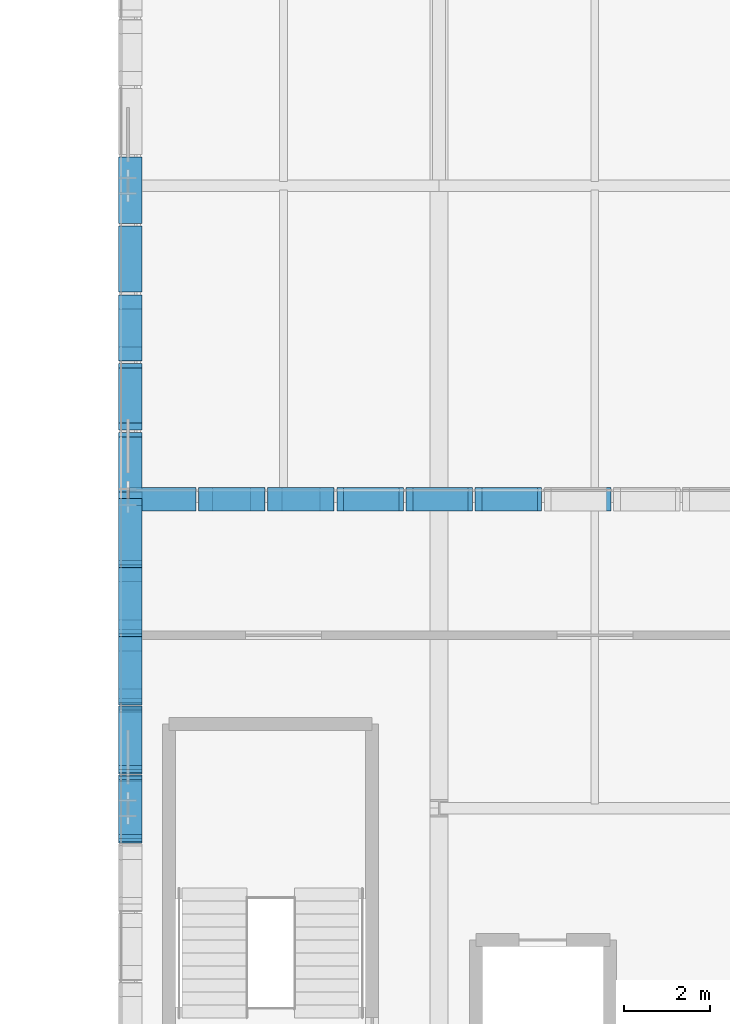
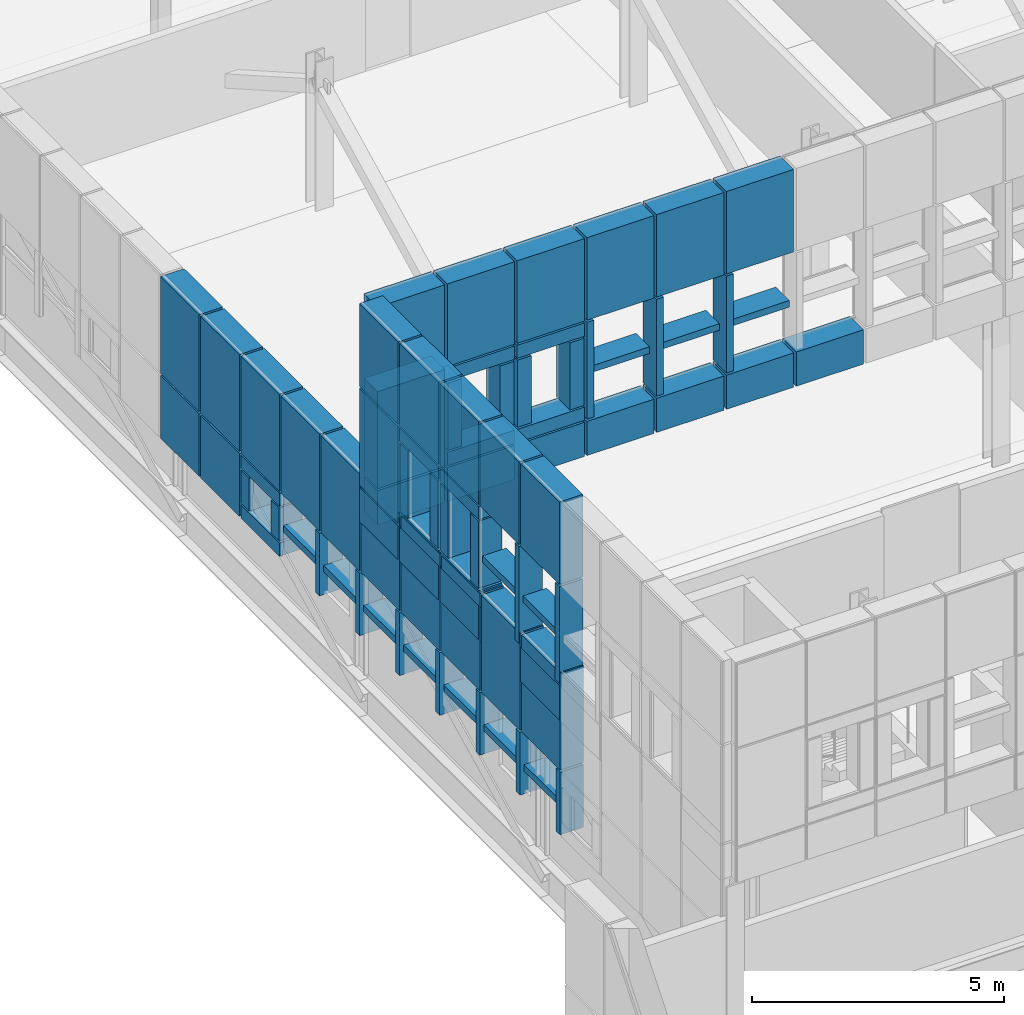
# One storey, part 69 of 96: 81 discrete accessories.
"""IFC4 building model written with IfcOpenShell, lengths in metres."""

from ifc_helpers import new_model, si_unit, direction, frame, origin, origin_2d, place, context, subcontext, project, spatial, rectangle, extrude, material, type_object, element, save


model = new_model("IFC4")

# Units and contexts
model_context = context("Model", 3, precision=1e-05, world=origin(), true_north=direction((0.0, 1.0)))
body_context = subcontext(model_context, "Body", "Model", "MODEL_VIEW")
ifc_project = project(units=[si_unit("LENGTHUNIT", "METRE"), si_unit("AREAUNIT", "SQUARE_METRE"), si_unit("VOLUMEUNIT", "CUBIC_METRE"), si_unit("PLANEANGLEUNIT", "RADIAN"), si_unit("MASSUNIT", "GRAM", prefix="KILO")], contexts=[model_context])

# Site, building, storey
site_placement = place(None, origin())
site = spatial("IfcSite", under=ifc_project, at=site_placement, CompositionType="ELEMENT")
building_placement = place(site_placement, origin())
building = spatial("IfcBuilding", under=site, at=building_placement, Name="Yarey Park Central Fire Station", CompositionType="ELEMENT")
storey_placement = place(building_placement, frame((0.0, 0.0, 14.39990234375)))
storey = spatial("IfcBuildingStorey", under=building, at=storey_placement, Name="L04", CompositionType="ELEMENT", Elevation=14.39990234375)

# Discrete accessories
ifc_material = material(Name="Stainless Steel AISI 316L", Category="steel")
discrete_accessory_type = type_object("IfcDiscreteAccessoryType", Name="ENV_BRK_SS1", PredefinedType="BRACKET", material=ifc_material)
discrete_accessory_1_placement = place(storey_placement, frame((28.85009765625, 64.079345703125, 0.875), z_axis=(0.0, 0.0, 1.0), x_axis=(1.0, 0.0, 0.0)))
element("IfcDiscreteAccessory", 1, at=discrete_accessory_1_placement, inside=storey, type_object=discrete_accessory_type, Name="BRK_PERF_L04_0631", PredefinedType="BRACKET", context=body_context, shape_type="SweptSolid", body=[
    extrude(rectangle(XDim=0.5400390625, YDim=0.159912109375, at=origin_2d()), origin(), (0.0, 0.0, 1.0), 1.52001953125),
])
discrete_accessory_2_placement = place(storey_placement, frame((28.85009765625, 64.765380859375, 1.55517578125), z_axis=(0.0, 0.0, 1.0), x_axis=(1.0, 0.0, 0.0)))
element("IfcDiscreteAccessory", 2, at=discrete_accessory_2_placement, inside=storey, type_object=discrete_accessory_type, Name="BRK_PERF_L04_0632", PredefinedType="BRACKET", context=body_context, shape_type="SweptSolid", body=[
    extrude(rectangle(XDim=0.5400390625, YDim=1.332275390625, at=origin_2d()), origin(), (0.0, 0.0, 1.0), 0.159912109375),
])
discrete_accessory_3_placement = place(storey_placement, frame((28.85009765625, 64.765380859375, 2.445068359375), z_axis=(0.0, 0.0, 1.0), x_axis=(1.0, 0.0, 0.0)))
element("IfcDiscreteAccessory", 3, at=discrete_accessory_3_placement, inside=storey, type_object=discrete_accessory_type, Name="BRK_PERF_L04_0633", PredefinedType="BRACKET", context=body_context, shape_type="SweptSolid", body=[
    extrude(rectangle(XDim=0.5400390625, YDim=1.5322265625, at=origin_2d()), origin(), (0.0, 0.0, 1.0), 2.35009765625),
])
discrete_accessory_4_placement = place(storey_placement, frame((28.85009765625, 65.67138671875, 0.875), z_axis=(0.0, 0.0, 1.0), x_axis=(1.0, 0.0, 0.0)))
element("IfcDiscreteAccessory", 4, at=discrete_accessory_4_placement, inside=storey, type_object=discrete_accessory_type, Name="BRK_PERF_L04_0638", PredefinedType="BRACKET", context=body_context, shape_type="SweptSolid", body=[
    extrude(rectangle(XDim=0.5400390625, YDim=0.159912109375, at=origin_2d()), origin(), (0.0, 0.0, 1.0), 1.52001953125),
])
discrete_accessory_5_placement = place(storey_placement, frame((28.85009765625, 66.357666015625, 1.55517578125), z_axis=(0.0, 0.0, 1.0), x_axis=(1.0, 0.0, 0.0)))
element("IfcDiscreteAccessory", 5, at=discrete_accessory_5_placement, inside=storey, type_object=discrete_accessory_type, Name="BRK_PERF_L04_0639", PredefinedType="BRACKET", context=body_context, shape_type="SweptSolid", body=[
    extrude(rectangle(XDim=0.5400390625, YDim=1.332275390625, at=origin_2d()), origin(), (0.0, 0.0, 1.0), 0.159912109375),
])
discrete_accessory_6_placement = place(storey_placement, frame((28.85009765625, 66.357666015625, 2.445068359375), z_axis=(0.0, 0.0, 1.0), x_axis=(1.0, 0.0, 0.0)))
element("IfcDiscreteAccessory", 6, at=discrete_accessory_6_placement, inside=storey, type_object=discrete_accessory_type, Name="BRK_PERF_L04_0640", PredefinedType="BRACKET", context=body_context, shape_type="SweptSolid", body=[
    extrude(rectangle(XDim=0.5400390625, YDim=1.5322265625, at=origin_2d()), origin(), (0.0, 0.0, 1.0), 2.35009765625),
])
discrete_accessory_7_placement = place(storey_placement, frame((28.85009765625, 67.263916015625, 0.875), z_axis=(0.0, 0.0, 1.0), x_axis=(1.0, 0.0, 0.0)))
element("IfcDiscreteAccessory", 7, at=discrete_accessory_7_placement, inside=storey, type_object=discrete_accessory_type, Name="BRK_PERF_L04_0645", PredefinedType="BRACKET", context=body_context, shape_type="SweptSolid", body=[
    extrude(rectangle(XDim=0.5400390625, YDim=0.159912109375, at=origin_2d()), origin(), (0.0, 0.0, 1.0), 1.52001953125),
])
discrete_accessory_8_placement = place(storey_placement, frame((28.85009765625, 67.949951171875, 1.55517578125), z_axis=(0.0, 0.0, 1.0), x_axis=(1.0, 0.0, 0.0)))
element("IfcDiscreteAccessory", 8, at=discrete_accessory_8_placement, inside=storey, type_object=discrete_accessory_type, Name="BRK_PERF_L04_0646", PredefinedType="BRACKET", context=body_context, shape_type="SweptSolid", body=[
    extrude(rectangle(XDim=0.5400390625, YDim=1.332275390625, at=origin_2d()), origin(), (0.0, 0.0, 1.0), 0.159912109375),
])
discrete_accessory_9_placement = place(storey_placement, frame((28.85009765625, 67.949951171875, 2.445068359375), z_axis=(0.0, 0.0, 1.0), x_axis=(1.0, 0.0, 0.0)))
element("IfcDiscreteAccessory", 9, at=discrete_accessory_9_placement, inside=storey, type_object=discrete_accessory_type, Name="BRK_PERF_L04_0647", PredefinedType="BRACKET", context=body_context, shape_type="SweptSolid", body=[
    extrude(rectangle(XDim=0.5400390625, YDim=1.5322265625, at=origin_2d()), origin(), (0.0, 0.0, 1.0), 2.35009765625),
])
discrete_accessory_10_placement = place(storey_placement, frame((28.85009765625, 68.856201171875, 0.875), z_axis=(0.0, 0.0, 1.0), x_axis=(1.0, 0.0, 0.0)))
element("IfcDiscreteAccessory", 10, at=discrete_accessory_10_placement, inside=storey, type_object=discrete_accessory_type, Name="BRK_PERF_L04_0652", PredefinedType="BRACKET", context=body_context, shape_type="SweptSolid", body=[
    extrude(rectangle(XDim=0.5400390625, YDim=0.159912109375, at=origin_2d()), origin(), (0.0, 0.0, 1.0), 1.52001953125),
])
discrete_accessory_11_placement = place(storey_placement, frame((28.85009765625, 69.542236328125, 1.55517578125), z_axis=(0.0, 0.0, 1.0), x_axis=(1.0, 0.0, 0.0)))
element("IfcDiscreteAccessory", 11, at=discrete_accessory_11_placement, inside=storey, type_object=discrete_accessory_type, Name="BRK_PERF_L04_0653", PredefinedType="BRACKET", context=body_context, shape_type="SweptSolid", body=[
    extrude(rectangle(XDim=0.5400390625, YDim=1.332275390625, at=origin_2d()), origin(), (0.0, 0.0, 1.0), 0.159912109375),
])
discrete_accessory_12_placement = place(storey_placement, frame((28.85009765625, 69.542236328125, 2.445068359375), z_axis=(0.0, 0.0, 1.0), x_axis=(1.0, 0.0, 0.0)))
element("IfcDiscreteAccessory", 12, at=discrete_accessory_12_placement, inside=storey, type_object=discrete_accessory_type, Name="BRK_PERF_L04_0654", PredefinedType="BRACKET", context=body_context, shape_type="SweptSolid", body=[
    extrude(rectangle(XDim=0.5400390625, YDim=1.5322265625, at=origin_2d()), origin(), (0.0, 0.0, 1.0), 2.35009765625),
])
discrete_accessory_13_placement = place(storey_placement, frame((28.85009765625, 70.448486328125, 0.875), z_axis=(0.0, 0.0, 1.0), x_axis=(1.0, 0.0, 0.0)))
element("IfcDiscreteAccessory", 13, at=discrete_accessory_13_placement, inside=storey, type_object=discrete_accessory_type, Name="BRK_PERF_L04_0659", PredefinedType="BRACKET", context=body_context, shape_type="SweptSolid", body=[
    extrude(rectangle(XDim=0.5400390625, YDim=0.159912109375, at=origin_2d()), origin(), (0.0, 0.0, 1.0), 1.52001953125),
])
discrete_accessory_14_placement = place(storey_placement, frame((28.85009765625, 71.134521484375, 1.55517578125), z_axis=(0.0, 0.0, 1.0), x_axis=(1.0, 0.0, 0.0)))
element("IfcDiscreteAccessory", 14, at=discrete_accessory_14_placement, inside=storey, type_object=discrete_accessory_type, Name="BRK_PERF_L04_0660", PredefinedType="BRACKET", context=body_context, shape_type="SweptSolid", body=[
    extrude(rectangle(XDim=0.5400390625, YDim=1.332275390625, at=origin_2d()), origin(), (0.0, 0.0, 1.0), 0.159912109375),
])
discrete_accessory_15_placement = place(storey_placement, frame((28.85009765625, 71.134521484375, 2.445068359375), z_axis=(0.0, 0.0, 1.0), x_axis=(1.0, 0.0, 0.0)))
element("IfcDiscreteAccessory", 15, at=discrete_accessory_15_placement, inside=storey, type_object=discrete_accessory_type, Name="BRK_PERF_L04_0661", PredefinedType="BRACKET", context=body_context, shape_type="SweptSolid", body=[
    extrude(rectangle(XDim=0.5400390625, YDim=1.5322265625, at=origin_2d()), origin(), (0.0, 0.0, 1.0), 2.35009765625),
])
discrete_accessory_16_placement = place(storey_placement, frame((28.85009765625, 72.040771484375, 0.875), z_axis=(0.0, 0.0, 1.0), x_axis=(1.0, 0.0, 0.0)))
element("IfcDiscreteAccessory", 16, at=discrete_accessory_16_placement, inside=storey, type_object=discrete_accessory_type, Name="BRK_PERF_L04_0666", PredefinedType="BRACKET", context=body_context, shape_type="SweptSolid", body=[
    extrude(rectangle(XDim=0.5400390625, YDim=0.159912109375, at=origin_2d()), origin(), (0.0, 0.0, 1.0), 1.52001953125),
])
discrete_accessory_17_placement = place(storey_placement, frame((28.85009765625, 72.726806640625, 1.55517578125), z_axis=(0.0, 0.0, 1.0), x_axis=(1.0, 0.0, 0.0)))
element("IfcDiscreteAccessory", 17, at=discrete_accessory_17_placement, inside=storey, type_object=discrete_accessory_type, Name="BRK_PERF_L04_0667", PredefinedType="BRACKET", context=body_context, shape_type="SweptSolid", body=[
    extrude(rectangle(XDim=0.5400390625, YDim=1.332275390625, at=origin_2d()), origin(), (0.0, 0.0, 1.0), 0.159912109375),
])
discrete_accessory_18_placement = place(storey_placement, frame((28.85009765625, 72.726806640625, 2.445068359375), z_axis=(0.0, 0.0, 1.0), x_axis=(1.0, 0.0, 0.0)))
element("IfcDiscreteAccessory", 18, at=discrete_accessory_18_placement, inside=storey, type_object=discrete_accessory_type, Name="BRK_PERF_L04_0668", PredefinedType="BRACKET", context=body_context, shape_type="SweptSolid", body=[
    extrude(rectangle(XDim=0.5400390625, YDim=1.5322265625, at=origin_2d()), origin(), (0.0, 0.0, 1.0), 2.35009765625),
])
discrete_accessory_19_placement = place(storey_placement, frame((28.85009765625, 73.633056640625, 0.875), z_axis=(0.0, 0.0, 1.0), x_axis=(1.0, 0.0, 0.0)))
element("IfcDiscreteAccessory", 19, at=discrete_accessory_19_placement, inside=storey, type_object=discrete_accessory_type, Name="BRK_PERF_L04_0673", PredefinedType="BRACKET", context=body_context, shape_type="SweptSolid", body=[
    extrude(rectangle(XDim=0.5400390625, YDim=0.159912109375, at=origin_2d()), origin(), (0.0, 0.0, 1.0), 1.52001953125),
])
discrete_accessory_20_placement = place(storey_placement, frame((28.85009765625, 74.319091796875, 1.55517578125), z_axis=(0.0, 0.0, 1.0), x_axis=(1.0, 0.0, 0.0)))
element("IfcDiscreteAccessory", 20, at=discrete_accessory_20_placement, inside=storey, type_object=discrete_accessory_type, Name="BRK_PERF_L04_0674", PredefinedType="BRACKET", context=body_context, shape_type="SweptSolid", body=[
    extrude(rectangle(XDim=0.5400390625, YDim=1.332275390625, at=origin_2d()), origin(), (0.0, 0.0, 1.0), 0.159912109375),
])
discrete_accessory_21_placement = place(storey_placement, frame((28.85009765625, 74.319091796875, 2.445068359375), z_axis=(0.0, 0.0, 1.0), x_axis=(1.0, 0.0, 0.0)))
element("IfcDiscreteAccessory", 21, at=discrete_accessory_21_placement, inside=storey, type_object=discrete_accessory_type, Name="BRK_PERF_L04_0675", PredefinedType="BRACKET", context=body_context, shape_type="SweptSolid", body=[
    extrude(rectangle(XDim=0.5400390625, YDim=1.5322265625, at=origin_2d()), origin(), (0.0, 0.0, 1.0), 2.35009765625),
])
for number, where, z_axis, x_axis, name in (
    (22, (28.85009765625, 75.91162109375, 0.8701171875), (0.0, 0.0, 1.0), (1.0, 0.0, 0.0), "BRK_PERF_L04_0682"),
    (23, (28.85009765625, 75.91162109375, 2.080078125), (0.0, 0.0, 1.0), (1.0, 0.0, 0.0), "BRK_PERF_L04_0683"),
):
    element("IfcDiscreteAccessory", number, at=place(storey_placement, frame(where, z_axis=z_axis, x_axis=x_axis)), inside=storey, type_object=discrete_accessory_type, Name=name, PredefinedType="BRACKET", context=body_context, shape_type="SweptSolid", body=[
        extrude(rectangle(XDim=0.5400390625, YDim=1.5322265625, at=origin_2d()), origin(), (0.0, 0.0, 1.0), 0.320068359375),
    ])
for number, where, z_axis, x_axis, name in (
    (24, (28.85009765625, 75.3154296875, 1.23486328125), (0.0, 0.0, 1.0), (1.0, 0.0, 0.0), "BRK_PERF_L04_0684"),
    (25, (28.85009765625, 76.507568359375, 1.23486328125), (0.0, 0.0, 1.0), (1.0, 0.0, 0.0), "BRK_PERF_L04_0685"),
):
    element("IfcDiscreteAccessory", number, at=place(storey_placement, frame(where, z_axis=z_axis, x_axis=x_axis)), inside=storey, type_object=discrete_accessory_type, Name=name, PredefinedType="BRACKET", context=body_context, shape_type="SweptSolid", body=[
        extrude(rectangle(XDim=0.5400390625, YDim=0.320068359375, at=origin_2d()), origin(), (0.0, 0.0, 1.0), 0.800048828125),
    ])
discrete_accessory_22_placement = place(storey_placement, frame((28.85009765625, 75.91162109375, 2.445068359375), z_axis=(0.0, 0.0, 1.0), x_axis=(1.0, 0.0, 0.0)))
element("IfcDiscreteAccessory", 26, at=discrete_accessory_22_placement, inside=storey, type_object=discrete_accessory_type, Name="BRK_PERF_L04_0686", PredefinedType="BRACKET", context=body_context, shape_type="SweptSolid", body=[
    extrude(rectangle(XDim=0.5400390625, YDim=1.5322265625, at=origin_2d()), origin(), (0.0, 0.0, 1.0), 2.35009765625),
])
discrete_accessory_23_placement = place(storey_placement, frame((28.85009765625, 77.50390625, 0.875), z_axis=(0.0, 0.0, 1.0), x_axis=(1.0, 0.0, 0.0)))
element("IfcDiscreteAccessory", 27, at=discrete_accessory_23_placement, inside=storey, type_object=discrete_accessory_type, Name="BRK_PERF_L04_0690", PredefinedType="BRACKET", context=body_context, shape_type="SweptSolid", body=[
    extrude(rectangle(XDim=0.5400390625, YDim=1.5322265625, at=origin_2d()), origin(), (0.0, 0.0, 1.0), 1.52001953125),
])
discrete_accessory_24_placement = place(storey_placement, frame((28.85009765625, 77.50390625, 2.445068359375), z_axis=(0.0, 0.0, 1.0), x_axis=(1.0, 0.0, 0.0)))
element("IfcDiscreteAccessory", 28, at=discrete_accessory_24_placement, inside=storey, type_object=discrete_accessory_type, Name="BRK_PERF_L04_0691", PredefinedType="BRACKET", context=body_context, shape_type="SweptSolid", body=[
    extrude(rectangle(XDim=0.5400390625, YDim=1.5322265625, at=origin_2d()), origin(), (0.0, 0.0, 1.0), 2.35009765625),
])
discrete_accessory_25_placement = place(storey_placement, frame((28.85009765625, 79.09619140625, 0.875), z_axis=(0.0, 0.0, 1.0), x_axis=(1.0, 0.0, 0.0)))
element("IfcDiscreteAccessory", 29, at=discrete_accessory_25_placement, inside=storey, type_object=discrete_accessory_type, Name="BRK_PERF_L04_0695", PredefinedType="BRACKET", context=body_context, shape_type="SweptSolid", body=[
    extrude(rectangle(XDim=0.5400390625, YDim=1.5322265625, at=origin_2d()), origin(), (0.0, 0.0, 1.0), 1.52001953125),
])
discrete_accessory_26_placement = place(storey_placement, frame((28.85009765625, 79.09619140625, 2.445068359375), z_axis=(0.0, 0.0, 1.0), x_axis=(1.0, 0.0, 0.0)))
element("IfcDiscreteAccessory", 30, at=discrete_accessory_26_placement, inside=storey, type_object=discrete_accessory_type, Name="BRK_PERF_L04_0696", PredefinedType="BRACKET", context=body_context, shape_type="SweptSolid", body=[
    extrude(rectangle(XDim=0.5400390625, YDim=1.5322265625, at=origin_2d()), origin(), (0.0, 0.0, 1.0), 2.35009765625),
])
discrete_accessory_27_placement = place(storey_placement, frame((29.60009765625, 71.949951171875, 3.64501953125), z_axis=(0.0, 0.0, 1.0), x_axis=(1.0, 0.0, 0.0)))
element("IfcDiscreteAccessory", 31, at=discrete_accessory_27_placement, inside=storey, type_object=discrete_accessory_type, Name="BRK_PERF_L04_1200", PredefinedType="BRACKET", context=body_context, shape_type="SweptSolid", body=[
    extrude(rectangle(XDim=1.5400390625, YDim=0.5400390625, at=origin_2d()), origin(), (0.0, 0.0, 1.0), 0.830078125),
])
discrete_accessory_28_placement = place(storey_placement, frame((29.60009765625, 71.949951171875, 4.525146484375), z_axis=(0.0, 0.0, 1.0), x_axis=(1.0, 0.0, 0.0)))
element("IfcDiscreteAccessory", 32, at=discrete_accessory_28_placement, inside=storey, type_object=discrete_accessory_type, Name="BRK_PERF_L04_1201", PredefinedType="BRACKET", context=body_context, shape_type="SweptSolid", body=[
    extrude(rectangle(XDim=1.5400390625, YDim=0.5400390625, at=origin_2d()), origin(), (0.0, 0.0, 1.0), 2.35009765625),
])
discrete_accessory_29_placement = place(storey_placement, frame((29.60009765625, 71.949951171875, 6.925048828125), z_axis=(0.0, 0.0, 1.0), x_axis=(1.0, 0.0, 0.0)))
element("IfcDiscreteAccessory", 33, at=discrete_accessory_29_placement, inside=storey, type_object=discrete_accessory_type, Name="BRK_PERF_L04_1202", PredefinedType="BRACKET", context=body_context, shape_type="SweptSolid", body=[
    extrude(rectangle(XDim=1.5400390625, YDim=0.5400390625, at=origin_2d()), origin(), (0.0, 0.0, 1.0), 2.0),
])
discrete_accessory_30_placement = place(storey_placement, frame((31.199951171875, 71.949951171875, 3.64501953125), z_axis=(0.0, 0.0, 1.0), x_axis=(1.0, 0.0, 0.0)))
element("IfcDiscreteAccessory", 34, at=discrete_accessory_30_placement, inside=storey, type_object=discrete_accessory_type, Name="BRK_PERF_L04_1203", PredefinedType="BRACKET", context=body_context, shape_type="SweptSolid", body=[
    extrude(rectangle(XDim=1.5400390625, YDim=0.5400390625, at=origin_2d()), origin(), (0.0, 0.0, 1.0), 0.830078125),
])
for number, where, z_axis, x_axis, name in (
    (35, (31.199951171875, 71.949951171875, 4.52001953125), (0.0, 0.0, 1.0), (1.0, 0.0, 0.0), "BRK_PERF_L04_1204"),
    (36, (31.199951171875, 71.949951171875, 6.56005859375), (0.0, 0.0, 1.0), (1.0, 0.0, 0.0), "BRK_PERF_L04_1205"),
):
    element("IfcDiscreteAccessory", number, at=place(storey_placement, frame(where, z_axis=z_axis, x_axis=x_axis)), inside=storey, type_object=discrete_accessory_type, Name=name, PredefinedType="BRACKET", context=body_context, shape_type="SweptSolid", body=[
        extrude(rectangle(XDim=1.5400390625, YDim=0.5400390625, at=origin_2d()), origin(), (0.0, 0.0, 1.0), 0.320068359375),
    ])
for number, where, z_axis, x_axis, name in (
    (37, (30.60009765625, 71.949951171875, 4.88525390625), (0.0, 0.0, 1.0), (1.0, 0.0, 0.0), "BRK_PERF_L04_1206"),
    (38, (31.800048828125, 71.949951171875, 4.88525390625), (0.0, 0.0, 1.0), (1.0, 0.0, 0.0), "BRK_PERF_L04_1207"),
):
    element("IfcDiscreteAccessory", number, at=place(storey_placement, frame(where, z_axis=z_axis, x_axis=x_axis)), inside=storey, type_object=discrete_accessory_type, Name=name, PredefinedType="BRACKET", context=body_context, shape_type="SweptSolid", body=[
        extrude(rectangle(XDim=0.320068359375, YDim=0.5400390625, at=origin_2d()), origin(), (0.0, 0.0, 1.0), 1.6298828125),
    ])
discrete_accessory_31_placement = place(storey_placement, frame((31.199951171875, 71.949951171875, 6.925048828125), z_axis=(0.0, 0.0, 1.0), x_axis=(1.0, 0.0, 0.0)))
element("IfcDiscreteAccessory", 39, at=discrete_accessory_31_placement, inside=storey, type_object=discrete_accessory_type, Name="BRK_PERF_L04_1208", PredefinedType="BRACKET", context=body_context, shape_type="SweptSolid", body=[
    extrude(rectangle(XDim=1.5400390625, YDim=0.5400390625, at=origin_2d()), origin(), (0.0, 0.0, 1.0), 2.0),
])
discrete_accessory_32_placement = place(storey_placement, frame((32.800048828125, 71.949951171875, 3.64501953125), z_axis=(0.0, 0.0, 1.0), x_axis=(1.0, 0.0, 0.0)))
element("IfcDiscreteAccessory", 40, at=discrete_accessory_32_placement, inside=storey, type_object=discrete_accessory_type, Name="BRK_PERF_L04_1209", PredefinedType="BRACKET", context=body_context, shape_type="SweptSolid", body=[
    extrude(rectangle(XDim=1.5400390625, YDim=0.5400390625, at=origin_2d()), origin(), (0.0, 0.0, 1.0), 0.830078125),
])
for number, where, z_axis, x_axis, name in (
    (41, (32.800048828125, 71.949951171875, 4.52001953125), (0.0, 0.0, 1.0), (1.0, 0.0, 0.0), "BRK_PERF_L04_1210"),
    (42, (32.800048828125, 71.949951171875, 6.56005859375), (0.0, 0.0, 1.0), (1.0, 0.0, 0.0), "BRK_PERF_L04_1211"),
):
    element("IfcDiscreteAccessory", number, at=place(storey_placement, frame(where, z_axis=z_axis, x_axis=x_axis)), inside=storey, type_object=discrete_accessory_type, Name=name, PredefinedType="BRACKET", context=body_context, shape_type="SweptSolid", body=[
        extrude(rectangle(XDim=1.5400390625, YDim=0.5400390625, at=origin_2d()), origin(), (0.0, 0.0, 1.0), 0.320068359375),
    ])
for number, where, z_axis, x_axis, name in (
    (43, (32.199951171875, 71.949951171875, 4.88525390625), (0.0, 0.0, 1.0), (1.0, 0.0, 0.0), "BRK_PERF_L04_1212"),
    (44, (33.39990234375, 71.949951171875, 4.88525390625), (0.0, 0.0, 1.0), (1.0, 0.0, 0.0), "BRK_PERF_L04_1213"),
):
    element("IfcDiscreteAccessory", number, at=place(storey_placement, frame(where, z_axis=z_axis, x_axis=x_axis)), inside=storey, type_object=discrete_accessory_type, Name=name, PredefinedType="BRACKET", context=body_context, shape_type="SweptSolid", body=[
        extrude(rectangle(XDim=0.320068359375, YDim=0.5400390625, at=origin_2d()), origin(), (0.0, 0.0, 1.0), 1.6298828125),
    ])
discrete_accessory_33_placement = place(storey_placement, frame((32.800048828125, 71.949951171875, 6.925048828125), z_axis=(0.0, 0.0, 1.0), x_axis=(1.0, 0.0, 0.0)))
element("IfcDiscreteAccessory", 45, at=discrete_accessory_33_placement, inside=storey, type_object=discrete_accessory_type, Name="BRK_PERF_L04_1214", PredefinedType="BRACKET", context=body_context, shape_type="SweptSolid", body=[
    extrude(rectangle(XDim=1.5400390625, YDim=0.5400390625, at=origin_2d()), origin(), (0.0, 0.0, 1.0), 2.0),
])
discrete_accessory_34_placement = place(storey_placement, frame((34.39990234375, 71.949951171875, 3.64501953125), z_axis=(0.0, 0.0, 1.0), x_axis=(1.0, 0.0, 0.0)))
element("IfcDiscreteAccessory", 46, at=discrete_accessory_34_placement, inside=storey, type_object=discrete_accessory_type, Name="BRK_PERF_L04_1215", PredefinedType="BRACKET", context=body_context, shape_type="SweptSolid", body=[
    extrude(rectangle(XDim=1.5400390625, YDim=0.5400390625, at=origin_2d()), origin(), (0.0, 0.0, 1.0), 0.830078125),
])
discrete_accessory_35_placement = place(storey_placement, frame((33.7099609375, 71.949951171875, 4.525146484375), z_axis=(0.0, 0.0, 1.0), x_axis=(1.0, 0.0, 0.0)))
element("IfcDiscreteAccessory", 47, at=discrete_accessory_35_placement, inside=storey, type_object=discrete_accessory_type, Name="BRK_PERF_L04_1216", PredefinedType="BRACKET", context=body_context, shape_type="SweptSolid", body=[
    extrude(rectangle(XDim=0.159912109375, YDim=0.5400390625, at=origin_2d()), origin(), (0.0, 0.0, 1.0), 2.35009765625),
])
discrete_accessory_36_placement = place(storey_placement, frame((34.39990234375, 71.949951171875, 5.6201171875), z_axis=(0.0, 0.0, 1.0), x_axis=(1.0, 0.0, 0.0)))
element("IfcDiscreteAccessory", 48, at=discrete_accessory_36_placement, inside=storey, type_object=discrete_accessory_type, Name="BRK_PERF_L04_1217", PredefinedType="BRACKET", context=body_context, shape_type="SweptSolid", body=[
    extrude(rectangle(XDim=1.340087890625, YDim=0.5400390625, at=origin_2d()), origin(), (0.0, 0.0, 1.0), 0.159912109375),
])
discrete_accessory_37_placement = place(storey_placement, frame((34.39990234375, 71.949951171875, 6.925048828125), z_axis=(0.0, 0.0, 1.0), x_axis=(1.0, 0.0, 0.0)))
element("IfcDiscreteAccessory", 49, at=discrete_accessory_37_placement, inside=storey, type_object=discrete_accessory_type, Name="BRK_PERF_L04_1218", PredefinedType="BRACKET", context=body_context, shape_type="SweptSolid", body=[
    extrude(rectangle(XDim=1.5400390625, YDim=0.5400390625, at=origin_2d()), origin(), (0.0, 0.0, 1.0), 2.0),
])
discrete_accessory_38_placement = place(storey_placement, frame((36.0, 71.949951171875, 3.64501953125), z_axis=(0.0, 0.0, 1.0), x_axis=(1.0, 0.0, 0.0)))
element("IfcDiscreteAccessory", 50, at=discrete_accessory_38_placement, inside=storey, type_object=discrete_accessory_type, Name="BRK_PERF_L04_1219", PredefinedType="BRACKET", context=body_context, shape_type="SweptSolid", body=[
    extrude(rectangle(XDim=1.5400390625, YDim=0.5400390625, at=origin_2d()), origin(), (0.0, 0.0, 1.0), 0.830078125),
])
discrete_accessory_39_placement = place(storey_placement, frame((35.31005859375, 71.949951171875, 4.525146484375), z_axis=(0.0, 0.0, 1.0), x_axis=(1.0, 0.0, 0.0)))
element("IfcDiscreteAccessory", 51, at=discrete_accessory_39_placement, inside=storey, type_object=discrete_accessory_type, Name="BRK_PERF_L04_1220", PredefinedType="BRACKET", context=body_context, shape_type="SweptSolid", body=[
    extrude(rectangle(XDim=0.159912109375, YDim=0.5400390625, at=origin_2d()), origin(), (0.0, 0.0, 1.0), 2.35009765625),
])
discrete_accessory_40_placement = place(storey_placement, frame((36.0, 71.949951171875, 5.6201171875), z_axis=(0.0, 0.0, 1.0), x_axis=(1.0, 0.0, 0.0)))
element("IfcDiscreteAccessory", 52, at=discrete_accessory_40_placement, inside=storey, type_object=discrete_accessory_type, Name="BRK_PERF_L04_1221", PredefinedType="BRACKET", context=body_context, shape_type="SweptSolid", body=[
    extrude(rectangle(XDim=1.340087890625, YDim=0.5400390625, at=origin_2d()), origin(), (0.0, 0.0, 1.0), 0.159912109375),
])
discrete_accessory_41_placement = place(storey_placement, frame((36.0, 71.949951171875, 6.925048828125), z_axis=(0.0, 0.0, 1.0), x_axis=(1.0, 0.0, 0.0)))
element("IfcDiscreteAccessory", 53, at=discrete_accessory_41_placement, inside=storey, type_object=discrete_accessory_type, Name="BRK_PERF_L04_1222", PredefinedType="BRACKET", context=body_context, shape_type="SweptSolid", body=[
    extrude(rectangle(XDim=1.5400390625, YDim=0.5400390625, at=origin_2d()), origin(), (0.0, 0.0, 1.0), 2.0),
])
discrete_accessory_42_placement = place(storey_placement, frame((37.60009765625, 71.949951171875, 3.64501953125), z_axis=(0.0, 0.0, 1.0), x_axis=(1.0, 0.0, 0.0)))
element("IfcDiscreteAccessory", 54, at=discrete_accessory_42_placement, inside=storey, type_object=discrete_accessory_type, Name="BRK_PERF_L04_1223", PredefinedType="BRACKET", context=body_context, shape_type="SweptSolid", body=[
    extrude(rectangle(XDim=1.5400390625, YDim=0.5400390625, at=origin_2d()), origin(), (0.0, 0.0, 1.0), 0.830078125),
])
discrete_accessory_43_placement = place(storey_placement, frame((36.909912109375, 71.949951171875, 4.525146484375), z_axis=(0.0, 0.0, 1.0), x_axis=(1.0, 0.0, 0.0)))
element("IfcDiscreteAccessory", 55, at=discrete_accessory_43_placement, inside=storey, type_object=discrete_accessory_type, Name="BRK_PERF_L04_1224", PredefinedType="BRACKET", context=body_context, shape_type="SweptSolid", body=[
    extrude(rectangle(XDim=0.159912109375, YDim=0.5400390625, at=origin_2d()), origin(), (0.0, 0.0, 1.0), 2.35009765625),
])
discrete_accessory_44_placement = place(storey_placement, frame((37.60009765625, 71.949951171875, 5.6201171875), z_axis=(0.0, 0.0, 1.0), x_axis=(1.0, 0.0, 0.0)))
element("IfcDiscreteAccessory", 56, at=discrete_accessory_44_placement, inside=storey, type_object=discrete_accessory_type, Name="BRK_PERF_L04_1225", PredefinedType="BRACKET", context=body_context, shape_type="SweptSolid", body=[
    extrude(rectangle(XDim=1.340087890625, YDim=0.5400390625, at=origin_2d()), origin(), (0.0, 0.0, 1.0), 0.159912109375),
])
discrete_accessory_45_placement = place(storey_placement, frame((37.60009765625, 71.949951171875, 6.925048828125), z_axis=(0.0, 0.0, 1.0), x_axis=(1.0, 0.0, 0.0)))
element("IfcDiscreteAccessory", 57, at=discrete_accessory_45_placement, inside=storey, type_object=discrete_accessory_type, Name="BRK_PERF_L04_1226", PredefinedType="BRACKET", context=body_context, shape_type="SweptSolid", body=[
    extrude(rectangle(XDim=1.5400390625, YDim=0.5400390625, at=origin_2d()), origin(), (0.0, 0.0, 1.0), 2.0),
])
discrete_accessory_46_placement = place(storey_placement, frame((39.199951171875, 71.949951171875, 3.64501953125), z_axis=(0.0, 0.0, 1.0), x_axis=(1.0, 0.0, 0.0)))
element("IfcDiscreteAccessory", 58, at=discrete_accessory_46_placement, inside=storey, type_object=discrete_accessory_type, Name="BRK_PERF_L04_1227", PredefinedType="BRACKET", context=body_context, shape_type="SweptSolid", body=[
    extrude(rectangle(XDim=1.5400390625, YDim=0.5400390625, at=origin_2d()), origin(), (0.0, 0.0, 1.0), 0.830078125),
])
discrete_accessory_47_placement = place(storey_placement, frame((28.85009765625, 64.800048828125, 3.64501953125), z_axis=(0.0, 0.0, 1.0), x_axis=(1.0, 0.0, 0.0)))
element("IfcDiscreteAccessory", 59, at=discrete_accessory_47_placement, inside=storey, type_object=discrete_accessory_type, Name="BRK_PERF_L04_1297", PredefinedType="BRACKET", context=body_context, shape_type="SweptSolid", body=[
    extrude(rectangle(XDim=0.5400390625, YDim=1.5400390625, at=origin_2d()), origin(), (0.0, 0.0, 1.0), 0.830078125),
])
discrete_accessory_48_placement = place(storey_placement, frame((28.85009765625, 64.110107421875, 4.525146484375), z_axis=(0.0, 0.0, 1.0), x_axis=(1.0, 0.0, 0.0)))
element("IfcDiscreteAccessory", 60, at=discrete_accessory_48_placement, inside=storey, type_object=discrete_accessory_type, Name="BRK_PERF_L04_1298", PredefinedType="BRACKET", context=body_context, shape_type="SweptSolid", body=[
    extrude(rectangle(XDim=0.5400390625, YDim=0.159912109375, at=origin_2d()), origin(), (0.0, 0.0, 1.0), 2.35009765625),
])
discrete_accessory_49_placement = place(storey_placement, frame((28.85009765625, 64.800048828125, 5.6201171875), z_axis=(0.0, 0.0, 1.0), x_axis=(1.0, 0.0, 0.0)))
element("IfcDiscreteAccessory", 61, at=discrete_accessory_49_placement, inside=storey, type_object=discrete_accessory_type, Name="BRK_PERF_L04_1299", PredefinedType="BRACKET", context=body_context, shape_type="SweptSolid", body=[
    extrude(rectangle(XDim=0.5400390625, YDim=1.340087890625, at=origin_2d()), origin(), (0.0, 0.0, 1.0), 0.159912109375),
])
discrete_accessory_50_placement = place(storey_placement, frame((28.85009765625, 64.800048828125, 6.925048828125), z_axis=(0.0, 0.0, 1.0), x_axis=(1.0, 0.0, 0.0)))
element("IfcDiscreteAccessory", 62, at=discrete_accessory_50_placement, inside=storey, type_object=discrete_accessory_type, Name="BRK_PERF_L04_1300", PredefinedType="BRACKET", context=body_context, shape_type="SweptSolid", body=[
    extrude(rectangle(XDim=0.5400390625, YDim=1.5400390625, at=origin_2d()), origin(), (0.0, 0.0, 1.0), 2.0),
])
discrete_accessory_51_placement = place(storey_placement, frame((28.85009765625, 66.39990234375, 3.64501953125), z_axis=(0.0, 0.0, 1.0), x_axis=(1.0, 0.0, 0.0)))
element("IfcDiscreteAccessory", 63, at=discrete_accessory_51_placement, inside=storey, type_object=discrete_accessory_type, Name="BRK_PERF_L04_1301", PredefinedType="BRACKET", context=body_context, shape_type="SweptSolid", body=[
    extrude(rectangle(XDim=0.5400390625, YDim=1.5400390625, at=origin_2d()), origin(), (0.0, 0.0, 1.0), 0.830078125),
])
discrete_accessory_52_placement = place(storey_placement, frame((28.85009765625, 65.7099609375, 4.525146484375), z_axis=(0.0, 0.0, 1.0), x_axis=(1.0, 0.0, 0.0)))
element("IfcDiscreteAccessory", 64, at=discrete_accessory_52_placement, inside=storey, type_object=discrete_accessory_type, Name="BRK_PERF_L04_1302", PredefinedType="BRACKET", context=body_context, shape_type="SweptSolid", body=[
    extrude(rectangle(XDim=0.5400390625, YDim=0.159912109375, at=origin_2d()), origin(), (0.0, 0.0, 1.0), 2.35009765625),
])
discrete_accessory_53_placement = place(storey_placement, frame((28.85009765625, 66.39990234375, 5.6201171875), z_axis=(0.0, 0.0, 1.0), x_axis=(1.0, 0.0, 0.0)))
element("IfcDiscreteAccessory", 65, at=discrete_accessory_53_placement, inside=storey, type_object=discrete_accessory_type, Name="BRK_PERF_L04_1303", PredefinedType="BRACKET", context=body_context, shape_type="SweptSolid", body=[
    extrude(rectangle(XDim=0.5400390625, YDim=1.340087890625, at=origin_2d()), origin(), (0.0, 0.0, 1.0), 0.159912109375),
])
discrete_accessory_54_placement = place(storey_placement, frame((28.85009765625, 66.39990234375, 6.925048828125), z_axis=(0.0, 0.0, 1.0), x_axis=(1.0, 0.0, 0.0)))
element("IfcDiscreteAccessory", 66, at=discrete_accessory_54_placement, inside=storey, type_object=discrete_accessory_type, Name="BRK_PERF_L04_1304", PredefinedType="BRACKET", context=body_context, shape_type="SweptSolid", body=[
    extrude(rectangle(XDim=0.5400390625, YDim=1.5400390625, at=origin_2d()), origin(), (0.0, 0.0, 1.0), 2.0),
])
discrete_accessory_55_placement = place(storey_placement, frame((28.85009765625, 68.0, 3.64501953125), z_axis=(0.0, 0.0, 1.0), x_axis=(1.0, 0.0, 0.0)))
element("IfcDiscreteAccessory", 67, at=discrete_accessory_55_placement, inside=storey, type_object=discrete_accessory_type, Name="BRK_PERF_L04_1305", PredefinedType="BRACKET", context=body_context, shape_type="SweptSolid", body=[
    extrude(rectangle(XDim=0.5400390625, YDim=1.5400390625, at=origin_2d()), origin(), (0.0, 0.0, 1.0), 0.830078125),
])
for number, where, z_axis, x_axis, name in (
    (68, (28.85009765625, 68.0, 4.52001953125), (0.0, 0.0, 1.0), (1.0, 0.0, 0.0), "BRK_PERF_L04_1306"),
    (69, (28.85009765625, 68.0, 6.56005859375), (0.0, 0.0, 1.0), (1.0, 0.0, 0.0), "BRK_PERF_L04_1307"),
):
    element("IfcDiscreteAccessory", number, at=place(storey_placement, frame(where, z_axis=z_axis, x_axis=x_axis)), inside=storey, type_object=discrete_accessory_type, Name=name, PredefinedType="BRACKET", context=body_context, shape_type="SweptSolid", body=[
        extrude(rectangle(XDim=0.5400390625, YDim=1.5400390625, at=origin_2d()), origin(), (0.0, 0.0, 1.0), 0.320068359375),
    ])
for number, where, z_axis, x_axis, name in (
    (70, (28.85009765625, 67.39990234375, 4.88525390625), (0.0, 0.0, 1.0), (1.0, 0.0, 0.0), "BRK_PERF_L04_1308"),
    (71, (28.85009765625, 68.60009765625, 4.88525390625), (0.0, 0.0, 1.0), (1.0, 0.0, 0.0), "BRK_PERF_L04_1309"),
):
    element("IfcDiscreteAccessory", number, at=place(storey_placement, frame(where, z_axis=z_axis, x_axis=x_axis)), inside=storey, type_object=discrete_accessory_type, Name=name, PredefinedType="BRACKET", context=body_context, shape_type="SweptSolid", body=[
        extrude(rectangle(XDim=0.5400390625, YDim=0.320068359375, at=origin_2d()), origin(), (0.0, 0.0, 1.0), 1.6298828125),
    ])
discrete_accessory_56_placement = place(storey_placement, frame((28.85009765625, 68.0, 6.925048828125), z_axis=(0.0, 0.0, 1.0), x_axis=(1.0, 0.0, 0.0)))
element("IfcDiscreteAccessory", 72, at=discrete_accessory_56_placement, inside=storey, type_object=discrete_accessory_type, Name="BRK_PERF_L04_1310", PredefinedType="BRACKET", context=body_context, shape_type="SweptSolid", body=[
    extrude(rectangle(XDim=0.5400390625, YDim=1.5400390625, at=origin_2d()), origin(), (0.0, 0.0, 1.0), 2.0),
])
discrete_accessory_57_placement = place(storey_placement, frame((28.85009765625, 69.60009765625, 3.64501953125), z_axis=(0.0, 0.0, 1.0), x_axis=(1.0, 0.0, 0.0)))
element("IfcDiscreteAccessory", 73, at=discrete_accessory_57_placement, inside=storey, type_object=discrete_accessory_type, Name="BRK_PERF_L04_1311", PredefinedType="BRACKET", context=body_context, shape_type="SweptSolid", body=[
    extrude(rectangle(XDim=0.5400390625, YDim=1.5400390625, at=origin_2d()), origin(), (0.0, 0.0, 1.0), 0.830078125),
])
for number, where, z_axis, x_axis, name in (
    (74, (28.85009765625, 69.60009765625, 4.52001953125), (0.0, 0.0, 1.0), (1.0, 0.0, 0.0), "BRK_PERF_L04_1312"),
    (75, (28.85009765625, 69.60009765625, 6.56005859375), (0.0, 0.0, 1.0), (1.0, 0.0, 0.0), "BRK_PERF_L04_1313"),
):
    element("IfcDiscreteAccessory", number, at=place(storey_placement, frame(where, z_axis=z_axis, x_axis=x_axis)), inside=storey, type_object=discrete_accessory_type, Name=name, PredefinedType="BRACKET", context=body_context, shape_type="SweptSolid", body=[
        extrude(rectangle(XDim=0.5400390625, YDim=1.5400390625, at=origin_2d()), origin(), (0.0, 0.0, 1.0), 0.320068359375),
    ])
for number, where, z_axis, x_axis, name in (
    (76, (28.85009765625, 69.0, 4.88525390625), (0.0, 0.0, 1.0), (1.0, 0.0, 0.0), "BRK_PERF_L04_1314"),
    (77, (28.85009765625, 70.199951171875, 4.88525390625), (0.0, 0.0, 1.0), (1.0, 0.0, 0.0), "BRK_PERF_L04_1315"),
):
    element("IfcDiscreteAccessory", number, at=place(storey_placement, frame(where, z_axis=z_axis, x_axis=x_axis)), inside=storey, type_object=discrete_accessory_type, Name=name, PredefinedType="BRACKET", context=body_context, shape_type="SweptSolid", body=[
        extrude(rectangle(XDim=0.5400390625, YDim=0.320068359375, at=origin_2d()), origin(), (0.0, 0.0, 1.0), 1.6298828125),
    ])
discrete_accessory_58_placement = place(storey_placement, frame((28.85009765625, 69.60009765625, 6.925048828125), z_axis=(0.0, 0.0, 1.0), x_axis=(1.0, 0.0, 0.0)))
element("IfcDiscreteAccessory", 78, at=discrete_accessory_58_placement, inside=storey, type_object=discrete_accessory_type, Name="BRK_PERF_L04_1316", PredefinedType="BRACKET", context=body_context, shape_type="SweptSolid", body=[
    extrude(rectangle(XDim=0.5400390625, YDim=1.5400390625, at=origin_2d()), origin(), (0.0, 0.0, 1.0), 2.0),
])
discrete_accessory_59_placement = place(storey_placement, frame((28.85009765625, 71.199951171875, 3.64501953125), z_axis=(0.0, 0.0, 1.0), x_axis=(1.0, 0.0, 0.0)))
element("IfcDiscreteAccessory", 79, at=discrete_accessory_59_placement, inside=storey, type_object=discrete_accessory_type, Name="BRK_PERF_L04_1317", PredefinedType="BRACKET", context=body_context, shape_type="SweptSolid", body=[
    extrude(rectangle(XDim=0.5400390625, YDim=1.5400390625, at=origin_2d()), origin(), (0.0, 0.0, 1.0), 0.830078125),
])
discrete_accessory_60_placement = place(storey_placement, frame((28.85009765625, 71.199951171875, 4.525146484375), z_axis=(0.0, 0.0, 1.0), x_axis=(1.0, 0.0, 0.0)))
element("IfcDiscreteAccessory", 80, at=discrete_accessory_60_placement, inside=storey, type_object=discrete_accessory_type, Name="BRK_PERF_L04_1318", PredefinedType="BRACKET", context=body_context, shape_type="SweptSolid", body=[
    extrude(rectangle(XDim=0.5400390625, YDim=1.5400390625, at=origin_2d()), origin(), (0.0, 0.0, 1.0), 2.35009765625),
])
discrete_accessory_61_placement = place(storey_placement, frame((28.85009765625, 71.199951171875, 6.925048828125), z_axis=(0.0, 0.0, 1.0), x_axis=(1.0, 0.0, 0.0)))
element("IfcDiscreteAccessory", 81, at=discrete_accessory_61_placement, inside=storey, type_object=discrete_accessory_type, Name="BRK_PERF_L04_1319", PredefinedType="BRACKET", context=body_context, shape_type="SweptSolid", body=[
    extrude(rectangle(XDim=0.5400390625, YDim=1.5400390625, at=origin_2d()), origin(), (0.0, 0.0, 1.0), 2.0),
])

save(model, "model.ifc")
